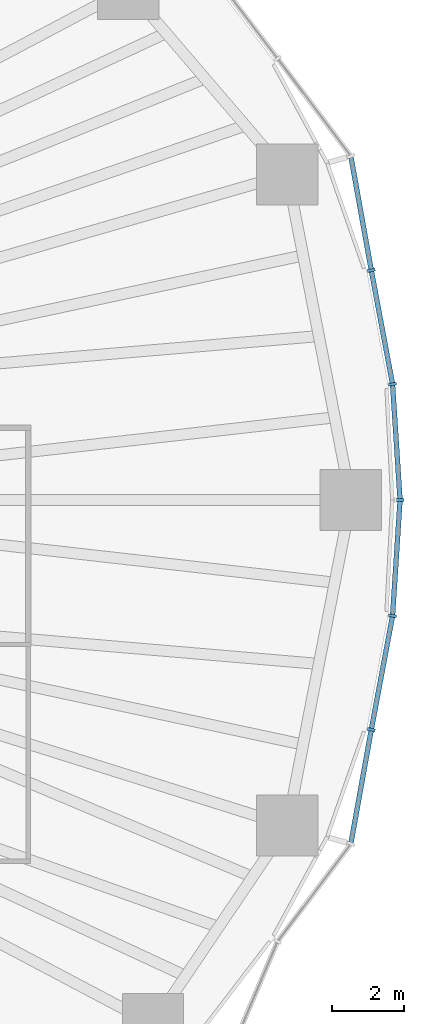
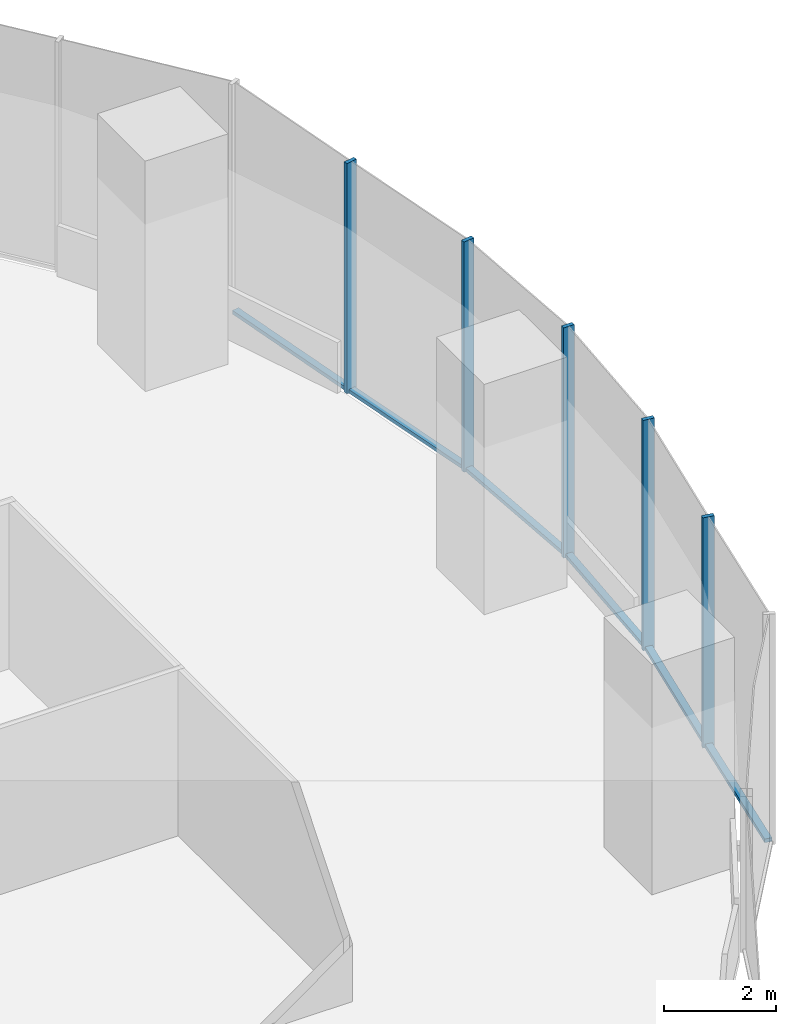
# One storey, part 7 of 20: 11 members, 2 elements without a shape of their own.
"""IFC4 building model written with IfcOpenShell, lengths in metres."""

from ifc_helpers import new_model, si_unit, direction, frame, origin, origin_2d, place, context, subcontext, project, spatial, rectangle, extrude, material, material_profile, profile_set, type_object, element, aggregate, save


model = new_model("IFC4")

# Units and contexts
model_context = context("Model", 3, precision=1e-05, world=origin(), true_north=direction((0.0, 1.0)))
body_context = subcontext(model_context, "Body", "Model", "MODEL_VIEW")
ifc_project = project(units=[si_unit("LENGTHUNIT", "METRE"), si_unit("AREAUNIT", "SQUARE_METRE"), si_unit("VOLUMEUNIT", "CUBIC_METRE"), si_unit("PLANEANGLEUNIT", "RADIAN"), si_unit("MASSUNIT", "GRAM", prefix="KILO")], contexts=[model_context])

# Site, building, storey
site_placement = place(None, origin())
site = spatial("IfcSite", under=ifc_project, at=site_placement, CompositionType="ELEMENT")
building_placement = place(site_placement, origin())
building = spatial("IfcBuilding", under=site, at=building_placement, Name="Ghaith Harvest Tower", CompositionType="ELEMENT")
storey_placement = place(building_placement, frame((0.0, 0.0, 85.0)))
storey = spatial("IfcBuildingStorey", under=building, at=storey_placement, Name="L17", CompositionType="ELEMENT", Elevation=85.0)

# Curtain wall, members
ifc_material_1 = material(Name="Black anodised aluminium and fritted glass", Category="aluminium")
curtain_wall_type = type_object("IfcCurtainWallType", Name="CW-F CURTAIN WALL", PredefinedType="NOTDEFINED", material=ifc_material_1)
curtain_wall_1_placement = place(storey_placement, origin())
curtain_wall_1 = element("IfcCurtainWall", 1, at=curtain_wall_1_placement, inside=storey, type_object=curtain_wall_type, Name="Curtain wall CW-F bay 01 L17", PredefinedType="NOTDEFINED")
ifc_material_2 = material(Name="Aluminium, black anodised", Category="aluminium")
ifc_material_profile_1 = material_profile(ifc_material_2, rectangle(XDim=0.080078125, YDim=0.219970703125, at=origin_2d()), Name="CW-F MULLION 80x220")
ifc_profile_set_1 = profile_set([ifc_material_profile_1], Name="Aluminium, black anodised")
member_type_1 = type_object("IfcMemberType", Name="CW-F MULLION 80x220", PredefinedType="MULLION", material=ifc_profile_set_1)
member_1_placement = place(storey_placement, frame((34.284912109375, 0.0, 0.0), z_axis=(0.0, 0.0, 1.0), x_axis=(1.05e-10, 1.0, 0.0)))
member_1 = element("IfcMember", 2, at=member_1_placement, type_object=member_type_1, Name="CW-F mullion 1 bay 01 L17", PredefinedType="MULLION", context=body_context, shape_type="SweptSolid", body=[
    extrude(rectangle(XDim=0.080078125, YDim=0.219970703125, at=origin_2d()), origin(), (0.0, 0.0, 1.0), 5.0),
])
member_2_placement = place(storey_placement, frame((34.077880859375, 3.205322265625, 0.0), z_axis=(0.0, 0.0, 1.0), x_axis=(-0.12416951168, 0.992261020281, 0.0)))
member_2 = element("IfcMember", 3, at=member_2_placement, type_object=member_type_1, Name="CW-F mullion 2 bay 01 L17", PredefinedType="MULLION", context=body_context, shape_type="SweptSolid", body=[
    extrude(rectangle(XDim=0.080078125, YDim=0.219970703125, at=origin_2d()), origin(), (0.0, 0.0, 1.0), 5.0),
])
member_3_placement = place(storey_placement, frame((33.489501953125, 6.3564453125, 0.0), z_axis=(0.0, 0.0, 1.0), x_axis=(-0.179943325455, 0.98367697931, 0.0)))
member_3 = element("IfcMember", 4, at=member_3_placement, type_object=member_type_1, Name="CW-F mullion 3 bay 01 L17", PredefinedType="MULLION", context=body_context, shape_type="SweptSolid", body=[
    extrude(rectangle(XDim=0.080078125, YDim=0.219970703125, at=origin_2d()), origin(), (0.0, 0.0, 1.0), 5.0),
])

curtain_wall_2_placement = place(storey_placement, origin())
curtain_wall_2 = element("IfcCurtainWall", 5, at=curtain_wall_2_placement, inside=storey, type_object=curtain_wall_type, Name="Curtain wall CW-F bay 20 L17", PredefinedType="NOTDEFINED")
member_4_placement = place(storey_placement, frame((33.489501953125, -6.3564453125, 0.0), z_axis=(0.0, 0.0, 1.0), x_axis=(0.17994332573, 0.98367697926, 0.0)))
member_4 = element("IfcMember", 6, at=member_4_placement, type_object=member_type_1, Name="CW-F mullion 2 bay 20 L17", PredefinedType="MULLION", context=body_context, shape_type="SweptSolid", body=[
    extrude(rectangle(XDim=0.080078125, YDim=0.219970703125, at=origin_2d()), origin(), (0.0, 0.0, 1.0), 5.0),
])
member_5_placement = place(storey_placement, frame((34.077880859375, -3.205322265625, 0.0), z_axis=(0.0, 0.0, 1.0), x_axis=(0.124169511819, 0.992261020264, 0.0)))
member_5 = element("IfcMember", 7, at=member_5_placement, type_object=member_type_1, Name="CW-F mullion 3 bay 20 L17", PredefinedType="MULLION", context=body_context, shape_type="SweptSolid", body=[
    extrude(rectangle(XDim=0.080078125, YDim=0.219970703125, at=origin_2d()), origin(), (0.0, 0.0, 1.0), 5.0),
])

# Member
ifc_material_3 = material(Name="Aluminium, black anodised", Category="aluminium")
ifc_material_profile_2 = material_profile(ifc_material_3, rectangle(XDim=0.139892578125, YDim=0.080078125, at=origin_2d()), Name="CW-F TRANSOM 140x80")
ifc_profile_set_2 = profile_set([ifc_material_profile_2], Name="Aluminium, black anodised")
member_type_2 = type_object("IfcMemberType", Name="CW-F TRANSOM 140x80", PredefinedType="USERDEFINED", material=ifc_profile_set_2)
member_6_placement = place(storey_placement, frame((34.282470703125, 0.039794921875, 0.0400390625), z_axis=(-0.064459898973, 0.997920298132, 0.0), x_axis=(-0.997920298132, -0.064459898973, 0.0)))
member_6 = element("IfcMember", 8, at=member_6_placement, type_object=member_type_2, Name="CW-F transom 1 bay 01 L17", ObjectType="TRANSOM", PredefinedType="USERDEFINED", context=body_context, shape_type="SweptSolid", body=[
    extrude(rectangle(XDim=0.139892578125, YDim=0.080078125, at=origin_2d()), origin(), (0.0, 0.0, 1.0), 3.13232421875),
])

member_7_placement = place(storey_placement, frame((34.070556640625, 3.24462890625, 0.0400390625), z_axis=(-0.183557496381, 0.983008975301, 0.0), x_axis=(-0.983008975301, -0.183557496381, 0.0)))
member_7 = element("IfcMember", 9, at=member_7_placement, type_object=member_type_2, Name="CW-F transom 2 bay 01 L17", ObjectType="TRANSOM", PredefinedType="USERDEFINED", context=body_context, shape_type="SweptSolid", body=[
    extrude(rectangle(XDim=0.139892578125, YDim=0.080078125, at=origin_2d()), origin(), (0.0, 0.0, 1.0), 3.125732421875),
])

member_8_placement = place(storey_placement, frame((33.482421875, 6.395751953125, 0.0400390625), z_axis=(-0.176303612865, 0.984335835013, 0.0), x_axis=(-0.984335835013, -0.176303612865, 0.0)))
member_8 = element("IfcMember", 10, at=member_8_placement, type_object=member_type_2, Name="CW-F transom 3 bay 01 L17", ObjectType="TRANSOM", PredefinedType="USERDEFINED", context=body_context, shape_type="SweptSolid", body=[
    extrude(rectangle(XDim=0.139892578125, YDim=0.080078125, at=origin_2d()), origin(), (0.0, 0.0, 1.0), 3.129638671875),
])

aggregate(curtain_wall_1, [member_1, member_6, member_2, member_7, member_3, member_8])

member_9_placement = place(storey_placement, frame((32.9306640625, -9.476318359375, 0.0400390625), z_axis=(0.176303612865, 0.984335835013, 0.0), x_axis=(-0.984335835013, 0.176303612865, 0.0)))
member_9 = element("IfcMember", 11, at=member_9_placement, type_object=member_type_2, Name="CW-F transom 1 bay 20 L17", ObjectType="TRANSOM", PredefinedType="USERDEFINED", context=body_context, shape_type="SweptSolid", body=[
    extrude(rectangle(XDim=0.139892578125, YDim=0.080078125, at=origin_2d()), origin(), (0.0, 0.0, 1.0), 3.129638671875),
])

member_10_placement = place(storey_placement, frame((33.496826171875, -6.317138671875, 0.0400390625), z_axis=(0.183557496381, 0.983008975301, 0.0), x_axis=(-0.983008975301, 0.183557496381, 0.0)))
member_10 = element("IfcMember", 12, at=member_10_placement, type_object=member_type_2, Name="CW-F transom 2 bay 20 L17", ObjectType="TRANSOM", PredefinedType="USERDEFINED", context=body_context, shape_type="SweptSolid", body=[
    extrude(rectangle(XDim=0.139892578125, YDim=0.080078125, at=origin_2d()), origin(), (0.0, 0.0, 1.0), 3.125732421875),
])

member_11_placement = place(storey_placement, frame((34.08056640625, -3.16552734375, 0.0400390625), z_axis=(0.064459898973, 0.997920298132, 0.0), x_axis=(-0.997920298132, 0.064459898973, 0.0)))
member_11 = element("IfcMember", 13, at=member_11_placement, type_object=member_type_2, Name="CW-F transom 3 bay 20 L17", ObjectType="TRANSOM", PredefinedType="USERDEFINED", context=body_context, shape_type="SweptSolid", body=[
    extrude(rectangle(XDim=0.139892578125, YDim=0.080078125, at=origin_2d()), origin(), (0.0, 0.0, 1.0), 3.13232421875),
])

aggregate(curtain_wall_2, [member_9, member_4, member_10, member_5, member_11])

save(model, "model.ifc")
